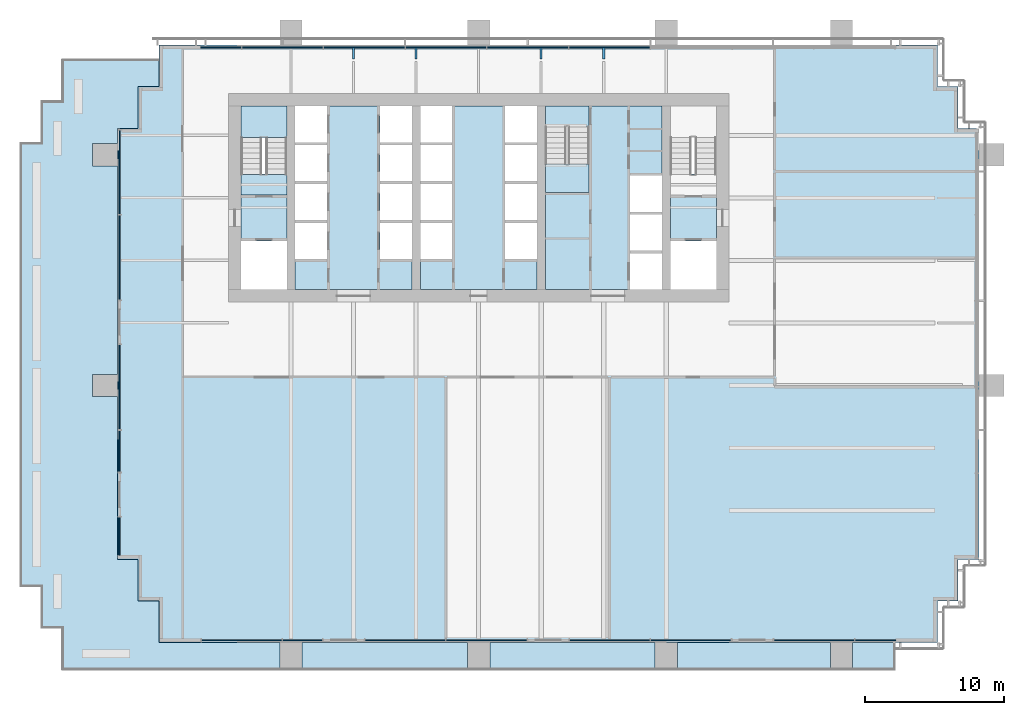
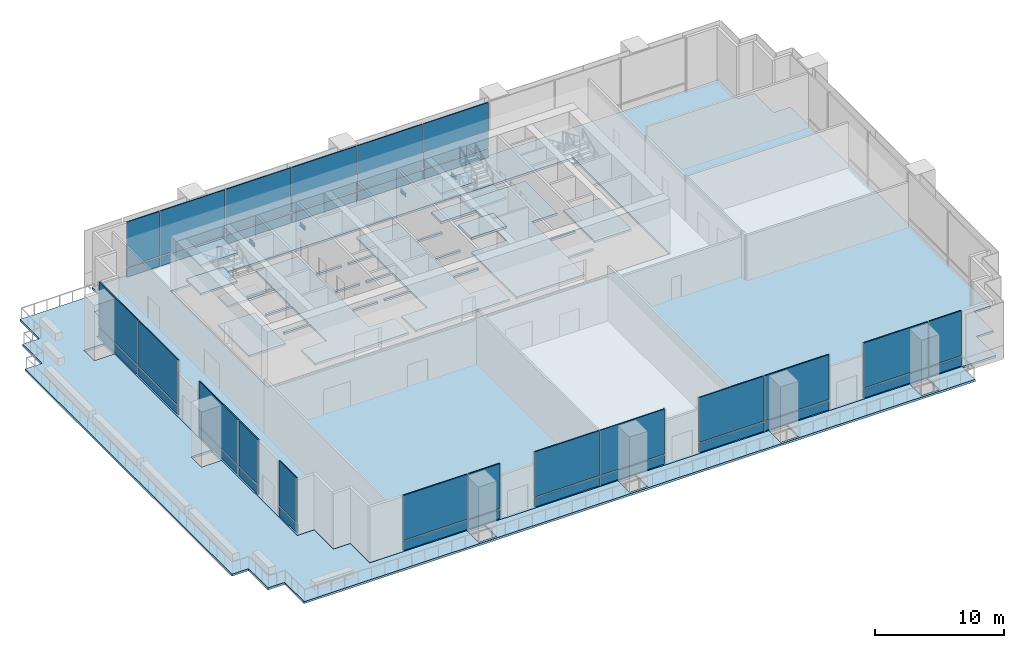
# One storey, part 6 of 15: 38 plates, 13 slabs, 4 beams, 10 elements without a shape of their own.
"""IFC4 building model written with IfcOpenShell, lengths in metres."""

from ifc_helpers import new_model, si_unit, direction, frame, origin, origin_2d, place, context, subcontext, project, spatial, polyline, rectangle, i_section, outline, extrude, material, layer, layer_set, material_profile, profile_set, type_object, element, aggregate, save


model = new_model("IFC4")

# Units and contexts
model_context = context("Model", 3, precision=1e-05, world=origin(), true_north=direction((0.0, 1.0)))
body_context = subcontext(model_context, "Body", "Model", "MODEL_VIEW")
ifc_project = project(units=[si_unit("LENGTHUNIT", "METRE"), si_unit("AREAUNIT", "SQUARE_METRE"), si_unit("VOLUMEUNIT", "CUBIC_METRE"), si_unit("PLANEANGLEUNIT", "RADIAN"), si_unit("MASSUNIT", "GRAM", prefix="KILO")], contexts=[model_context])

# Site, building, storey
site_placement = place(None, origin())
site = spatial("IfcSite", under=ifc_project, at=site_placement, CompositionType="ELEMENT")
building_placement = place(site_placement, origin())
building = spatial("IfcBuilding", under=site, at=building_placement, Name="Rattan Terrace Tower", CompositionType="ELEMENT")
storey_placement = place(building_placement, frame((0.0, 0.0, 74.300048828125)))
storey = spatial("IfcBuildingStorey", under=building, at=storey_placement, Name="L16", CompositionType="ELEMENT", Elevation=74.300048828125)

# Beams
ifc_material_1 = material(Name="Steel S355", Category="steel")
ifc_material_profile = material_profile(ifc_material_1, i_section(OverallWidth=0.14990234375, OverallDepth=0.300048828125, WebThickness=0.007080078125, FlangeThickness=0.0107421875, FilletRadius=0.014892578125, at=origin_2d()), Name="IPE 300")
ifc_profile_set = profile_set([ifc_material_profile], Name="Steel S355")
beam_type = type_object("IfcBeamType", Name="Frame floor beam IPE 300", PredefinedType="JOIST", material=ifc_profile_set)
for number, where, z_axis, x_axis, name in (
    (1, (-9.0, 10.0, -0.35009765625), (0.0, 1.0, 0.0), (-1.0, 0.0, 0.0), "bm-L16-031"),
    (2, (-4.5, 10.0, -0.35009765625), (0.0, 1.0, 0.0), (-1.0, 0.0, 0.0), "bm-L16-032"),
    (3, (4.5, 10.0, -0.35009765625), (0.0, 1.0, 0.0), (-1.0, 0.0, 0.0), "bm-L16-033"),
    (4, (9.0, 10.0, -0.35009765625), (0.0, 1.0, 0.0), (-1.0, 0.0, 0.0), "bm-L16-034"),
):
    element("IfcBeam", number, at=place(storey_placement, frame(where, z_axis=z_axis, x_axis=x_axis)), inside=storey, type_object=beam_type, Name=name, PredefinedType="JOIST", context=body_context, shape_type="SweptSolid", body=[
        extrude(i_section(OverallWidth=0.14990234375, OverallDepth=0.300048828125, WebThickness=0.007080078125, FlangeThickness=0.0107421875, FilletRadius=0.014892578125, at=origin_2d()), origin(), (0.0, 0.0, 1.0), 0.820068359375),
    ])

# Stair, slabs
ifc_material_2 = material(Name="Concrete C40/50", Category="concrete")
stair_type = type_object("IfcStairType", Name="Core exit stair 1500", PredefinedType="HALF_TURN_STAIR", material=ifc_material_2)
stair_1_placement = place(storey_placement, origin())
stair_1 = element("IfcStair", 5, at=stair_1_placement, inside=storey, type_object=stair_type, Name="L16 exit stair 1", PredefinedType="HALF_TURN_STAIR")
ifc_material_3 = material(Name="Concrete C40/50", Category="concrete")
ifc_layer_1 = layer(ifc_material_3, 0.199951171875)
ifc_layer_set_1 = layer_set([ifc_layer_1], Name="Core exit stair landing")
slab_type_1 = type_object("IfcSlabType", Name="Core exit stair landing", PredefinedType="LANDING", material=ifc_layer_set_1)
slab_1_placement = place(storey_placement, frame((0.0, 0.0, 1.14990234375)))
slab_1 = element("IfcSlab", 6, at=slab_1_placement, type_object=slab_type_1, Name="S1 landing 1", PredefinedType="LANDING", context=body_context, shape_type="SweptSolid", body=[
    extrude(outline(polyline([(-13.800048828125, 4.360107421875), (-13.800048828125, 6.60009765625), (-17.10009765625, 6.60009765625), (-17.10009765625, 4.360107421875), (-13.800048828125, 4.360107421875)])), origin(), (0.0, 0.0, 1.0), 0.199951171875),
])
slab_2_placement = place(storey_placement, frame((0.0, 0.0, 2.5)))
slab_2 = element("IfcSlab", 7, at=slab_2_placement, type_object=slab_type_1, Name="S1 landing 2", PredefinedType="LANDING", context=body_context, shape_type="SweptSolid", body=[
    extrude(outline(polyline([(-13.800048828125, 0.199951171875), (-13.800048828125, 1.699951171875), (-17.10009765625, 1.699951171875), (-17.10009765625, 0.199951171875), (-13.800048828125, 0.199951171875)])), origin(), (0.0, 0.0, 1.0), 0.199951171875),
])
slab_3_placement = place(storey_placement, frame((0.0, 0.0, 3.849853515625)))
slab_3 = element("IfcSlab", 8, at=slab_3_placement, type_object=slab_type_1, Name="S1 landing 3", PredefinedType="LANDING", context=body_context, shape_type="SweptSolid", body=[
    extrude(outline(polyline([(-13.800048828125, 4.360107421875), (-13.800048828125, 6.60009765625), (-17.10009765625, 6.60009765625), (-17.10009765625, 4.360107421875), (-13.800048828125, 4.360107421875)])), origin(), (0.0, 0.0, 1.0), 0.2001953125),
])
aggregate(stair_1, [slab_1, slab_2, slab_3])

stair_2_placement = place(storey_placement, origin())
stair_2 = element("IfcStair", 9, at=stair_2_placement, inside=storey, type_object=stair_type, Name="L16 exit stair 3", PredefinedType="HALF_TURN_STAIR")
slab_4_placement = place(storey_placement, frame((0.0, 0.0, 1.14990234375)))
slab_4 = element("IfcSlab", 10, at=slab_4_placement, type_object=slab_type_1, Name="S3 landing 1", PredefinedType="LANDING", context=body_context, shape_type="SweptSolid", body=[
    extrude(outline(polyline([(4.800048828125, 2.43994140625), (4.800048828125, 0.39990234375), (7.949951171875, 0.39990234375), (7.949951171875, 2.43994140625), (4.800048828125, 2.43994140625)])), origin(), (0.0, 0.0, 1.0), 0.199951171875),
])
slab_5_placement = place(storey_placement, frame((0.0, 0.0, 2.5)))
slab_5 = element("IfcSlab", 11, at=slab_5_placement, type_object=slab_type_1, Name="S3 landing 2", PredefinedType="LANDING", context=body_context, shape_type="SweptSolid", body=[
    extrude(outline(polyline([(4.800048828125, 6.60009765625), (4.800048828125, 5.10009765625), (7.949951171875, 5.10009765625), (7.949951171875, 6.60009765625), (4.800048828125, 6.60009765625)])), origin(), (0.0, 0.0, 1.0), 0.199951171875),
])
slab_6_placement = place(storey_placement, frame((0.0, 0.0, 3.849853515625)))
slab_6 = element("IfcSlab", 12, at=slab_6_placement, type_object=slab_type_1, Name="S3 landing 3", PredefinedType="LANDING", context=body_context, shape_type="SweptSolid", body=[
    extrude(outline(polyline([(4.800048828125, 2.43994140625), (4.800048828125, 0.39990234375), (7.949951171875, 0.39990234375), (7.949951171875, 2.43994140625), (4.800048828125, 2.43994140625)])), origin(), (0.0, 0.0, 1.0), 0.2001953125),
])
aggregate(stair_2, [slab_4, slab_5, slab_6])

# Slabs
ifc_material_4 = material(Name="Concrete C35/45", Category="concrete")
ifc_layer_2 = layer(ifc_material_4, 0.199951171875)
ifc_layer_set_2 = layer_set([ifc_layer_2], Name="Frame refuge floor slab 200")
slab_type_2 = type_object("IfcSlabType", Name="Frame refuge floor slab 200", PredefinedType="FLOOR", material=ifc_layer_set_2)
slab_7_placement = place(storey_placement, frame((0.0, 0.0, -0.199951171875)))
element("IfcSlab", 13, at=slab_7_placement, inside=storey, type_object=slab_type_2, Name="Floor slab", PredefinedType="FLOOR", context=body_context, shape_type="SweptSolid", body=[
    extrude(outline(polyline([(-20.0, -32.0), (30.0, -32.0), (33.0, -32.0), (33.0, -29.0), (34.5, -29.0), (34.5, -26.0), (36.0, -26.0), (36.0, 5.0), (34.5, 5.0), (34.5, 8.0), (33.0, 8.0), (33.0, 11.0), (30.0, 11.0), (-20.0, 11.0), (-23.0, 11.0), (-23.0, 8.0), (-24.5, 8.0), (-24.5, 5.0), (-26.0, 5.0), (-26.0, -26.0), (-24.5, -26.0), (-24.5, -29.0), (-23.0, -29.0), (-23.0, -32.0), (-20.0, -32.0)]), holes=[polyline([(-18.0, -6.60009765625), (-18.0, -7.5), (18.0, -7.5), (18.0, -6.60009765625), (18.0, 6.60009765625), (18.0, 7.5), (-18.0, 7.5), (-18.0, 6.60009765625), (-18.0, -6.60009765625)])]), origin(), (0.0, 0.0, 1.0), 0.199951171875),
])
slab_8_placement = place(storey_placement, frame((0.0, 0.0, -0.199951171875)))
element("IfcSlab", 14, at=slab_8_placement, inside=storey, type_object=slab_type_2, Name="Floor slab", PredefinedType="FLOOR", context=body_context, shape_type="SweptSolid", body=[
    extrude(outline(polyline([(-10.89990234375, 6.60009765625), (-10.89990234375, 4.0), (-13.199951171875, 4.0), (-13.199951171875, 3.800048828125), (-10.89990234375, 3.800048828125), (-10.89990234375, 1.199951171875), (-13.199951171875, 1.199951171875), (-13.199951171875, 1.0), (-10.89990234375, 1.0), (-10.89990234375, -1.60009765625), (-13.199951171875, -1.60009765625), (-13.199951171875, -1.800048828125), (-10.89990234375, -1.800048828125), (-10.89990234375, -4.39990234375), (-13.199951171875, -4.39990234375), (-13.199951171875, -6.60009765625), (-4.800048828125, -6.60009765625), (-4.800048828125, -4.39990234375), (-7.10009765625, -4.39990234375), (-7.10009765625, -1.800048828125), (-4.800048828125, -1.800048828125), (-4.800048828125, -1.60009765625), (-7.10009765625, -1.60009765625), (-7.10009765625, 1.0), (-4.800048828125, 1.0), (-4.800048828125, 1.199951171875), (-7.10009765625, 1.199951171875), (-7.10009765625, 3.800048828125), (-4.800048828125, 3.800048828125), (-4.800048828125, 4.0), (-7.10009765625, 4.0), (-7.10009765625, 6.60009765625), (-10.89990234375, 6.60009765625)])), origin(), (0.0, 0.0, 1.0), 0.199951171875),
])
slab_9_placement = place(storey_placement, frame((0.0, 0.0, -0.199951171875)))
element("IfcSlab", 15, at=slab_9_placement, inside=storey, type_object=slab_type_2, Name="Floor slab", PredefinedType="FLOOR", context=body_context, shape_type="SweptSolid", body=[
    extrude(outline(polyline([(-17.10009765625, -3.10009765625), (-13.800048828125, -3.10009765625), (-13.800048828125, 1.7099609375), (-17.10009765625, 1.7099609375), (-17.10009765625, -3.10009765625)])), origin(), (0.0, 0.0, 1.0), 0.199951171875),
])
slab_10_placement = place(storey_placement, frame((0.0, 0.0, -0.199951171875)))
element("IfcSlab", 16, at=slab_10_placement, inside=storey, type_object=slab_type_2, Name="Floor slab", PredefinedType="FLOOR", context=body_context, shape_type="SweptSolid", body=[
    extrude(outline(polyline([(-4.199951171875, 4.0), (-4.199951171875, 3.800048828125), (-1.89990234375, 3.800048828125), (-1.89990234375, 1.199951171875), (-4.199951171875, 1.199951171875), (-4.199951171875, 1.0), (-1.89990234375, 1.0), (-1.89990234375, -1.60009765625), (-4.199951171875, -1.60009765625), (-4.199951171875, -1.800048828125), (-1.89990234375, -1.800048828125), (-1.89990234375, -4.39990234375), (-4.199951171875, -4.39990234375), (-4.199951171875, -6.60009765625), (4.199951171875, -6.60009765625), (4.199951171875, -4.39990234375), (1.89990234375, -4.39990234375), (1.89990234375, -1.800048828125), (4.199951171875, -1.800048828125), (4.199951171875, -1.60009765625), (1.89990234375, -1.60009765625), (1.89990234375, 1.0), (4.199951171875, 1.0), (4.199951171875, 1.199951171875), (1.89990234375, 1.199951171875), (1.89990234375, 3.800048828125), (4.199951171875, 3.800048828125), (4.199951171875, 4.0), (1.89990234375, 4.0), (1.89990234375, 6.60009765625), (-1.89990234375, 6.60009765625), (-1.89990234375, 4.0), (-4.199951171875, 4.0)])), origin(), (0.0, 0.0, 1.0), 0.199951171875),
])
slab_11_placement = place(storey_placement, frame((0.0, 0.0, -0.199951171875)))
element("IfcSlab", 17, at=slab_11_placement, inside=storey, type_object=slab_type_2, Name="Floor slab", PredefinedType="FLOOR", context=body_context, shape_type="SweptSolid", body=[
    extrude(outline(polyline([(4.800048828125, 5.090087890625), (7.949951171875, 5.090087890625), (7.949951171875, 0.39990234375), (4.800048828125, 0.39990234375), (4.800048828125, -6.60009765625), (10.89990234375, -6.60009765625), (10.89990234375, -4.0), (13.199951171875, -4.0), (13.199951171875, -3.800048828125), (10.89990234375, -3.800048828125), (10.89990234375, -1.199951171875), (13.199951171875, -1.199951171875), (13.199951171875, -1.0), (10.89990234375, -1.0), (10.89990234375, 1.60009765625), (13.199951171875, 1.60009765625), (13.199951171875, 6.60009765625), (4.800048828125, 6.60009765625), (4.800048828125, 5.090087890625)])), origin(), (0.0, 0.0, 1.0), 0.199951171875),
])
slab_12_placement = place(storey_placement, frame((0.0, 0.0, -0.199951171875)))
element("IfcSlab", 18, at=slab_12_placement, inside=storey, type_object=slab_type_2, Name="Floor slab", PredefinedType="FLOOR", context=body_context, shape_type="SweptSolid", body=[
    extrude(outline(polyline([(13.800048828125, -3.10009765625), (17.10009765625, -3.10009765625), (17.10009765625, 1.7099609375), (13.800048828125, 1.7099609375), (13.800048828125, -3.10009765625)])), origin(), (0.0, 0.0, 1.0), 0.199951171875),
])
ifc_material_5 = material(Name="Concrete C35/45", Category="concrete")
ifc_layer_3 = layer(ifc_material_5, 0.199951171875)
ifc_layer_set_3 = layer_set([ifc_layer_3], Name="Frame terrace slab 200")
slab_type_3 = type_object("IfcSlabType", Name="Frame terrace slab 200", PredefinedType="ROOF", material=ifc_layer_set_3)
slab_13_placement = place(storey_placement, frame((0.0, 0.0, -0.199951171875)))
element("IfcSlab", 19, at=slab_13_placement, inside=storey, type_object=slab_type_3, Name="Terrace slab", PredefinedType="ROOF", context=body_context, shape_type="SweptSolid", body=[
    extrude(outline(polyline([(30.0, -32.0), (26.89990234375, -32.0), (26.89990234375, -33.800048828125), (25.300048828125, -33.800048828125), (25.300048828125, -32.0), (14.300048828125, -32.0), (14.300048828125, -33.800048828125), (12.699951171875, -33.800048828125), (12.699951171875, -32.0), (0.800048828125, -32.0), (0.800048828125, -33.800048828125), (-0.800048828125, -33.800048828125), (-0.800048828125, -32.0), (-12.699951171875, -32.0), (-12.699951171875, -33.800048828125), (-14.300048828125, -33.800048828125), (-14.300048828125, -32.0), (-23.0, -32.0), (-23.0, -29.0), (-24.5, -29.0), (-24.5, -26.0), (-26.0, -26.0), (-26.0, -14.300048828125), (-27.800048828125, -14.300048828125), (-27.800048828125, -12.699951171875), (-26.0, -12.699951171875), (-26.0, 2.300048828125), (-27.800048828125, 2.300048828125), (-27.800048828125, 3.89990234375), (-26.0, 3.89990234375), (-26.0, 5.0), (-24.5, 5.0), (-24.5, 8.0), (-23.0, 8.0), (-23.0, 10.0), (-30.0, 10.0), (-30.0, 7.0), (-31.5, 7.0), (-31.5, 4.0), (-33.0, 4.0), (-33.0, -28.0), (-31.5, -28.0), (-31.5, -31.0), (-30.0, -31.0), (-30.0, -34.0), (30.0, -34.0), (30.0, -32.0)])), origin(), (0.0, 0.0, 1.0), 0.199951171875),
])

# Curtain wall, plates
ifc_material_6 = material(Name="Steel fins, aluminium and glass", Category="steel")
ifc_layer_4 = layer(ifc_material_6, 0.300048828125)
ifc_layer_set_4 = layer_set([ifc_layer_4], Name="Sky Lobby Stick Curtain Wall")
curtain_wall_type = type_object("IfcCurtainWallType", Name="Sky Lobby Stick Curtain Wall", PredefinedType="NOTDEFINED", material=ifc_layer_set_4)
curtain_wall_1_placement = place(storey_placement, origin())
curtain_wall_1 = element("IfcCurtainWall", 20, at=curtain_wall_1_placement, inside=storey, type_object=curtain_wall_type, Name="Sky lobby curtain wall L16-2", PredefinedType="NOTDEFINED")
ifc_material_7 = material(Name="Insulated aluminium spandrel panel", Category="aluminium")
ifc_layer_5 = layer(ifc_material_7, 0.10009765625)
ifc_layer_set_5 = layer_set([ifc_layer_5], Name="Sky Lobby CW Insulated Panel")
plate_type_1 = type_object("IfcPlateType", Name="Sky Lobby CW Insulated Panel", PredefinedType="CURTAIN_PANEL", material=ifc_layer_set_5)
plate_1_placement = place(storey_placement, frame((9.4130859375, 10.830078125, 0.0), z_axis=(0.0, 0.0, 1.0), x_axis=(-1.0, 0.0, 0.0)))
plate_1 = element("IfcPlate", 21, at=plate_1_placement, type_object=plate_type_1, Name="Panel cwl-L16-002.4.1", PredefinedType="CURTAIN_PANEL", context=body_context, shape_type="SweptSolid", body=[
    extrude(rectangle(XDim=5.802001953125, YDim=0.10009765625, at=origin_2d()), origin(), (0.0, 0.0, 1.0), 0.840087890625),
])
plate_2_placement = place(storey_placement, frame((3.531005859375, 10.830078125, 0.0), z_axis=(0.0, 0.0, 1.0), x_axis=(-1.0, 0.0, 0.0)))
plate_2 = element("IfcPlate", 22, at=plate_2_placement, type_object=plate_type_1, Name="Panel cwl-L16-002.5.1", PredefinedType="CURTAIN_PANEL", context=body_context, shape_type="SweptSolid", body=[
    extrude(rectangle(XDim=5.802001953125, YDim=0.10009765625, at=origin_2d()), origin(), (0.0, 0.0, 1.0), 0.840087890625),
])
plate_3_placement = place(storey_placement, frame((-2.35107421875, 10.830078125, 0.0), z_axis=(0.0, 0.0, 1.0), x_axis=(-1.0, 0.0, 0.0)))
plate_3 = element("IfcPlate", 23, at=plate_3_placement, type_object=plate_type_1, Name="Panel cwl-L16-002.6.1", PredefinedType="CURTAIN_PANEL", context=body_context, shape_type="SweptSolid", body=[
    extrude(rectangle(XDim=5.802001953125, YDim=0.10009765625, at=origin_2d()), origin(), (0.0, 0.0, 1.0), 0.840087890625),
])
plate_4_placement = place(storey_placement, frame((-8.23291015625, 10.830078125, 0.0), z_axis=(0.0, 0.0, 1.0), x_axis=(-1.0, 0.0, 0.0)))
plate_4 = element("IfcPlate", 24, at=plate_4_placement, type_object=plate_type_1, Name="Panel cwl-L16-002.7.1", PredefinedType="CURTAIN_PANEL", context=body_context, shape_type="SweptSolid", body=[
    extrude(rectangle(XDim=5.802001953125, YDim=0.10009765625, at=origin_2d()), origin(), (0.0, 0.0, 1.0), 0.840087890625),
])
plate_5_placement = place(storey_placement, frame((-14.114990234375, 10.830078125, 0.0), z_axis=(0.0, 0.0, 1.0), x_axis=(-1.0, 0.0, 0.0)))
plate_5 = element("IfcPlate", 25, at=plate_5_placement, type_object=plate_type_1, Name="Panel cwl-L16-002.8.1", PredefinedType="CURTAIN_PANEL", context=body_context, shape_type="SweptSolid", body=[
    extrude(rectangle(XDim=5.802001953125, YDim=0.10009765625, at=origin_2d()), origin(), (0.0, 0.0, 1.0), 0.840087890625),
])
plate_6_placement = place(storey_placement, frame((-18.548095703125, 10.830078125, 0.0), z_axis=(0.0, 0.0, 1.0), x_axis=(-1.0, 0.0, 0.0)))
plate_6 = element("IfcPlate", 26, at=plate_6_placement, type_object=plate_type_1, Name="Panel cwl-L16-002.9.1", PredefinedType="CURTAIN_PANEL", context=body_context, shape_type="SweptSolid", body=[
    extrude(rectangle(XDim=2.904052734375, YDim=0.10009765625, at=origin_2d()), origin(), (0.0, 0.0, 1.0), 0.840087890625),
])

curtain_wall_2_placement = place(storey_placement, origin())
curtain_wall_2 = element("IfcCurtainWall", 27, at=curtain_wall_2_placement, inside=storey, type_object=curtain_wall_type, Name="Sky lobby curtain wall L16-3", PredefinedType="NOTDEFINED")
plate_7_placement = place(storey_placement, frame((-25.830078125, 1.857421875, 0.0), z_axis=(0.0, 0.0, 1.0), x_axis=(0.0, -1.0, 0.0)))
plate_7 = element("IfcPlate", 28, at=plate_7_placement, type_object=plate_type_1, Name="Panel cwl-L16-003.1.1", PredefinedType="CURTAIN_PANEL", context=body_context, shape_type="SweptSolid", body=[
    extrude(rectangle(XDim=6.034912109375, YDim=0.10009765625, at=origin_2d()), origin(), (0.0, 0.0, 1.0), 0.840087890625),
])
plate_8_placement = place(storey_placement, frame((-25.830078125, -4.280029296875, 0.0), z_axis=(0.0, 0.0, 1.0), x_axis=(0.0, -1.0, 0.0)))
plate_8 = element("IfcPlate", 29, at=plate_8_placement, type_object=plate_type_1, Name="Panel cwl-L16-003.2.1", PredefinedType="CURTAIN_PANEL", context=body_context, shape_type="SweptSolid", body=[
    extrude(rectangle(XDim=6.080078125, YDim=0.10009765625, at=origin_2d()), origin(), (0.0, 0.0, 1.0), 0.840087890625),
])

curtain_wall_3_placement = place(storey_placement, origin())
curtain_wall_3 = element("IfcCurtainWall", 30, at=curtain_wall_3_placement, inside=storey, type_object=curtain_wall_type, Name="Sky lobby curtain wall L16-4", PredefinedType="NOTDEFINED")
plate_9_placement = place(storey_placement, frame((-25.830078125, -13.6201171875, 0.0), z_axis=(0.0, 0.0, 1.0), x_axis=(0.0, -1.0, 0.0)))
plate_9 = element("IfcPlate", 31, at=plate_9_placement, type_object=plate_type_1, Name="Panel cwl-L16-004.1.1", PredefinedType="CURTAIN_PANEL", context=body_context, shape_type="SweptSolid", body=[
    extrude(rectangle(XDim=6.080078125, YDim=0.10009765625, at=origin_2d()), origin(), (0.0, 0.0, 1.0), 0.840087890625),
])
plate_10_placement = place(storey_placement, frame((-25.830078125, -18.22998046875, 0.0), z_axis=(0.0, 0.0, 1.0), x_axis=(0.0, -1.0, 0.0)))
plate_10 = element("IfcPlate", 32, at=plate_10_placement, type_object=plate_type_1, Name="Panel cwl-L16-004.2.1", PredefinedType="CURTAIN_PANEL", context=body_context, shape_type="SweptSolid", body=[
    extrude(rectangle(XDim=2.97998046875, YDim=0.10009765625, at=origin_2d()), origin(), (0.0, 0.0, 1.0), 0.840087890625),
])

# Curtain wall, plate
curtain_wall_4_placement = place(storey_placement, origin())
curtain_wall_4 = element("IfcCurtainWall", 33, at=curtain_wall_4_placement, inside=storey, type_object=curtain_wall_type, Name="Sky lobby curtain wall L16-5", PredefinedType="NOTDEFINED")
plate_11_placement = place(storey_placement, frame((-25.830078125, -24.342529296875, 0.0), z_axis=(0.0, 0.0, 1.0), x_axis=(0.0, -1.0, 0.0)))
plate_11 = element("IfcPlate", 34, at=plate_11_placement, type_object=plate_type_1, Name="Panel cwl-L16-005.1.1", PredefinedType="CURTAIN_PANEL", context=body_context, shape_type="SweptSolid", body=[
    extrude(rectangle(XDim=2.72509765625, YDim=0.10009765625, at=origin_2d()), origin(), (0.0, 0.0, 1.0), 0.840087890625),
])

# Curtain wall, plates
curtain_wall_5_placement = place(storey_placement, origin())
curtain_wall_5 = element("IfcCurtainWall", 35, at=curtain_wall_5_placement, inside=storey, type_object=curtain_wall_type, Name="Sky lobby curtain wall L16-6", PredefinedType="NOTDEFINED")
plate_12_placement = place(storey_placement, frame((-17.0390625, -31.830078125, 0.0), z_axis=(0.0, 0.0, 1.0), x_axis=(1.0, 0.0, 0.0)))
plate_12 = element("IfcPlate", 36, at=plate_12_placement, type_object=plate_type_1, Name="Panel cwl-L16-006.1.1", PredefinedType="CURTAIN_PANEL", context=body_context, shape_type="SweptSolid", body=[
    extrude(rectangle(XDim=5.761962890625, YDim=0.10009765625, at=origin_2d()), origin(), (0.0, 0.0, 1.0), 0.840087890625),
])
plate_13_placement = place(storey_placement, frame((-12.66748046875, -31.830078125, 0.0), z_axis=(0.0, 0.0, 1.0), x_axis=(1.0, 0.0, 0.0)))
plate_13 = element("IfcPlate", 37, at=plate_13_placement, type_object=plate_type_1, Name="Panel cwl-L16-006.2.1", PredefinedType="CURTAIN_PANEL", context=body_context, shape_type="SweptSolid", body=[
    extrude(rectangle(XDim=2.821044921875, YDim=0.10009765625, at=origin_2d()), origin(), (0.0, 0.0, 1.0), 0.840087890625),
])

curtain_wall_6_placement = place(storey_placement, origin())
curtain_wall_6 = element("IfcCurtainWall", 38, at=curtain_wall_6_placement, inside=storey, type_object=curtain_wall_type, Name="Sky lobby curtain wall L16-7", PredefinedType="NOTDEFINED")
plate_14_placement = place(storey_placement, frame((-5.27490234375, -31.830078125, 0.0), z_axis=(0.0, 0.0, 1.0), x_axis=(1.0, 0.0, 0.0)))
plate_14 = element("IfcPlate", 39, at=plate_14_placement, type_object=plate_type_1, Name="Panel cwl-L16-007.1.1", PredefinedType="CURTAIN_PANEL", context=body_context, shape_type="SweptSolid", body=[
    extrude(rectangle(XDim=5.761962890625, YDim=0.10009765625, at=origin_2d()), origin(), (0.0, 0.0, 1.0), 0.840087890625),
])
plate_15_placement = place(storey_placement, frame((0.56689453125, -31.830078125, 0.0), z_axis=(0.0, 0.0, 1.0), x_axis=(1.0, 0.0, 0.0)))
plate_15 = element("IfcPlate", 40, at=plate_15_placement, type_object=plate_type_1, Name="Panel cwl-L16-007.2.1", PredefinedType="CURTAIN_PANEL", context=body_context, shape_type="SweptSolid", body=[
    extrude(rectangle(XDim=5.761962890625, YDim=0.10009765625, at=origin_2d()), origin(), (0.0, 0.0, 1.0), 0.840087890625),
])

curtain_wall_7_placement = place(storey_placement, origin())
curtain_wall_7 = element("IfcCurtainWall", 41, at=curtain_wall_7_placement, inside=storey, type_object=curtain_wall_type, Name="Sky lobby curtain wall L16-8", PredefinedType="NOTDEFINED")
plate_16_placement = place(storey_placement, frame((9.429931640625, -31.830078125, 0.0), z_axis=(0.0, 0.0, 1.0), x_axis=(1.0, 0.0, 0.0)))
plate_16 = element("IfcPlate", 42, at=plate_16_placement, type_object=plate_type_1, Name="Panel cwl-L16-008.1.1", PredefinedType="CURTAIN_PANEL", context=body_context, shape_type="SweptSolid", body=[
    extrude(rectangle(XDim=5.761962890625, YDim=0.10009765625, at=origin_2d()), origin(), (0.0, 0.0, 1.0), 0.840087890625),
])
plate_17_placement = place(storey_placement, frame((15.27197265625, -31.830078125, 0.0), z_axis=(0.0, 0.0, 1.0), x_axis=(1.0, 0.0, 0.0)))
plate_17 = element("IfcPlate", 43, at=plate_17_placement, type_object=plate_type_1, Name="Panel cwl-L16-008.2.1", PredefinedType="CURTAIN_PANEL", context=body_context, shape_type="SweptSolid", body=[
    extrude(rectangle(XDim=5.761962890625, YDim=0.10009765625, at=origin_2d()), origin(), (0.0, 0.0, 1.0), 0.840087890625),
])

curtain_wall_8_placement = place(storey_placement, origin())
curtain_wall_8 = element("IfcCurtainWall", 44, at=curtain_wall_8_placement, inside=storey, type_object=curtain_wall_type, Name="Sky lobby curtain wall L16-9", PredefinedType="NOTDEFINED")
plate_18_placement = place(storey_placement, frame((24.135009765625, -31.830078125, 0.0), z_axis=(0.0, 0.0, 1.0), x_axis=(1.0, 0.0, 0.0)))
plate_18 = element("IfcPlate", 45, at=plate_18_placement, type_object=plate_type_1, Name="Panel cwl-L16-009.1.1", PredefinedType="CURTAIN_PANEL", context=body_context, shape_type="SweptSolid", body=[
    extrude(rectangle(XDim=5.761962890625, YDim=0.10009765625, at=origin_2d()), origin(), (0.0, 0.0, 1.0), 0.840087890625),
])
plate_19_placement = place(storey_placement, frame((28.548095703125, -31.830078125, 0.0), z_axis=(0.0, 0.0, 1.0), x_axis=(1.0, 0.0, 0.0)))
plate_19 = element("IfcPlate", 46, at=plate_19_placement, type_object=plate_type_1, Name="Panel cwl-L16-009.2.1", PredefinedType="CURTAIN_PANEL", context=body_context, shape_type="SweptSolid", body=[
    extrude(rectangle(XDim=2.904052734375, YDim=0.10009765625, at=origin_2d()), origin(), (0.0, 0.0, 1.0), 0.840087890625),
])

# Plate
ifc_material_8 = material(Name="Laminated low-iron glass", Category="glass")
ifc_layer_6 = layer(ifc_material_8, 0.090087890625)
ifc_layer_set_6 = layer_set([ifc_layer_6], Name="Sky Lobby CW Vision Panel")
plate_type_2 = type_object("IfcPlateType", Name="Sky Lobby CW Vision Panel", PredefinedType="CURTAIN_PANEL", material=ifc_layer_set_6)
plate_20_placement = place(storey_placement, frame((9.4130859375, 10.830078125, 0.9599609375), z_axis=(0.0, 0.0, 1.0), x_axis=(-1.0, 0.0, 0.0)))
plate_20 = element("IfcPlate", 47, at=plate_20_placement, type_object=plate_type_2, Name="Panel cwl-L16-002.4.2", PredefinedType="CURTAIN_PANEL", context=body_context, shape_type="SweptSolid", body=[
    extrude(rectangle(XDim=5.802001953125, YDim=0.090087890625, at=origin_2d()), origin(), (0.0, 0.0, 1.0), 4.239990234375),
])

plate_21_placement = place(storey_placement, frame((3.531005859375, 10.830078125, 0.9599609375), z_axis=(0.0, 0.0, 1.0), x_axis=(-1.0, 0.0, 0.0)))
plate_21 = element("IfcPlate", 48, at=plate_21_placement, type_object=plate_type_2, Name="Panel cwl-L16-002.5.2", PredefinedType="CURTAIN_PANEL", context=body_context, shape_type="SweptSolid", body=[
    extrude(rectangle(XDim=5.802001953125, YDim=0.090087890625, at=origin_2d()), origin(), (0.0, 0.0, 1.0), 4.239990234375),
])

plate_22_placement = place(storey_placement, frame((-2.35107421875, 10.830078125, 0.9599609375), z_axis=(0.0, 0.0, 1.0), x_axis=(-1.0, 0.0, 0.0)))
plate_22 = element("IfcPlate", 49, at=plate_22_placement, type_object=plate_type_2, Name="Panel cwl-L16-002.6.2", PredefinedType="CURTAIN_PANEL", context=body_context, shape_type="SweptSolid", body=[
    extrude(rectangle(XDim=5.802001953125, YDim=0.090087890625, at=origin_2d()), origin(), (0.0, 0.0, 1.0), 4.239990234375),
])

plate_23_placement = place(storey_placement, frame((-8.23291015625, 10.830078125, 0.9599609375), z_axis=(0.0, 0.0, 1.0), x_axis=(-1.0, 0.0, 0.0)))
plate_23 = element("IfcPlate", 50, at=plate_23_placement, type_object=plate_type_2, Name="Panel cwl-L16-002.7.2", PredefinedType="CURTAIN_PANEL", context=body_context, shape_type="SweptSolid", body=[
    extrude(rectangle(XDim=5.802001953125, YDim=0.090087890625, at=origin_2d()), origin(), (0.0, 0.0, 1.0), 4.239990234375),
])

plate_24_placement = place(storey_placement, frame((-14.114990234375, 10.830078125, 0.9599609375), z_axis=(0.0, 0.0, 1.0), x_axis=(-1.0, 0.0, 0.0)))
plate_24 = element("IfcPlate", 51, at=plate_24_placement, type_object=plate_type_2, Name="Panel cwl-L16-002.8.2", PredefinedType="CURTAIN_PANEL", context=body_context, shape_type="SweptSolid", body=[
    extrude(rectangle(XDim=5.802001953125, YDim=0.090087890625, at=origin_2d()), origin(), (0.0, 0.0, 1.0), 4.239990234375),
])

plate_25_placement = place(storey_placement, frame((-18.548095703125, 10.830078125, 0.9599609375), z_axis=(0.0, 0.0, 1.0), x_axis=(-1.0, 0.0, 0.0)))
plate_25 = element("IfcPlate", 52, at=plate_25_placement, type_object=plate_type_2, Name="Panel cwl-L16-002.9.2", PredefinedType="CURTAIN_PANEL", context=body_context, shape_type="SweptSolid", body=[
    extrude(rectangle(XDim=2.904052734375, YDim=0.090087890625, at=origin_2d()), origin(), (0.0, 0.0, 1.0), 4.239990234375),
])

aggregate(curtain_wall_1, [plate_1, plate_20, plate_2, plate_21, plate_3, plate_22, plate_4, plate_23, plate_5, plate_24, plate_6, plate_25])

plate_26_placement = place(storey_placement, frame((-25.830078125, 1.857421875, 0.9599609375), z_axis=(0.0, 0.0, 1.0), x_axis=(0.0, -1.0, 0.0)))
plate_26 = element("IfcPlate", 53, at=plate_26_placement, type_object=plate_type_2, Name="Panel cwl-L16-003.1.2", PredefinedType="CURTAIN_PANEL", context=body_context, shape_type="SweptSolid", body=[
    extrude(rectangle(XDim=6.034912109375, YDim=0.090087890625, at=origin_2d()), origin(), (0.0, 0.0, 1.0), 4.239990234375),
])

plate_27_placement = place(storey_placement, frame((-25.830078125, -4.280029296875, 0.9599609375), z_axis=(0.0, 0.0, 1.0), x_axis=(0.0, -1.0, 0.0)))
plate_27 = element("IfcPlate", 54, at=plate_27_placement, type_object=plate_type_2, Name="Panel cwl-L16-003.2.2", PredefinedType="CURTAIN_PANEL", context=body_context, shape_type="SweptSolid", body=[
    extrude(rectangle(XDim=6.080078125, YDim=0.090087890625, at=origin_2d()), origin(), (0.0, 0.0, 1.0), 4.239990234375),
])

aggregate(curtain_wall_2, [plate_7, plate_26, plate_8, plate_27])

plate_28_placement = place(storey_placement, frame((-25.830078125, -13.6201171875, 0.9599609375), z_axis=(0.0, 0.0, 1.0), x_axis=(0.0, -1.0, 0.0)))
plate_28 = element("IfcPlate", 55, at=plate_28_placement, type_object=plate_type_2, Name="Panel cwl-L16-004.1.2", PredefinedType="CURTAIN_PANEL", context=body_context, shape_type="SweptSolid", body=[
    extrude(rectangle(XDim=6.080078125, YDim=0.090087890625, at=origin_2d()), origin(), (0.0, 0.0, 1.0), 4.239990234375),
])

plate_29_placement = place(storey_placement, frame((-25.830078125, -18.22998046875, 0.9599609375), z_axis=(0.0, 0.0, 1.0), x_axis=(0.0, -1.0, 0.0)))
plate_29 = element("IfcPlate", 56, at=plate_29_placement, type_object=plate_type_2, Name="Panel cwl-L16-004.2.2", PredefinedType="CURTAIN_PANEL", context=body_context, shape_type="SweptSolid", body=[
    extrude(rectangle(XDim=2.97998046875, YDim=0.090087890625, at=origin_2d()), origin(), (0.0, 0.0, 1.0), 4.239990234375),
])

aggregate(curtain_wall_3, [plate_9, plate_28, plate_10, plate_29])

plate_30_placement = place(storey_placement, frame((-25.830078125, -24.342529296875, 0.9599609375), z_axis=(0.0, 0.0, 1.0), x_axis=(0.0, -1.0, 0.0)))
plate_30 = element("IfcPlate", 57, at=plate_30_placement, type_object=plate_type_2, Name="Panel cwl-L16-005.1.2", PredefinedType="CURTAIN_PANEL", context=body_context, shape_type="SweptSolid", body=[
    extrude(rectangle(XDim=2.72509765625, YDim=0.090087890625, at=origin_2d()), origin(), (0.0, 0.0, 1.0), 4.239990234375),
])

aggregate(curtain_wall_4, [plate_11, plate_30])

plate_31_placement = place(storey_placement, frame((-17.0390625, -31.830078125, 0.9599609375), z_axis=(0.0, 0.0, 1.0), x_axis=(1.0, 0.0, 0.0)))
plate_31 = element("IfcPlate", 58, at=plate_31_placement, type_object=plate_type_2, Name="Panel cwl-L16-006.1.2", PredefinedType="CURTAIN_PANEL", context=body_context, shape_type="SweptSolid", body=[
    extrude(rectangle(XDim=5.761962890625, YDim=0.090087890625, at=origin_2d()), origin(), (0.0, 0.0, 1.0), 4.239990234375),
])

plate_32_placement = place(storey_placement, frame((-12.66748046875, -31.830078125, 0.9599609375), z_axis=(0.0, 0.0, 1.0), x_axis=(1.0, 0.0, 0.0)))
plate_32 = element("IfcPlate", 59, at=plate_32_placement, type_object=plate_type_2, Name="Panel cwl-L16-006.2.2", PredefinedType="CURTAIN_PANEL", context=body_context, shape_type="SweptSolid", body=[
    extrude(rectangle(XDim=2.821044921875, YDim=0.090087890625, at=origin_2d()), origin(), (0.0, 0.0, 1.0), 4.239990234375),
])

aggregate(curtain_wall_5, [plate_12, plate_31, plate_13, plate_32])

plate_33_placement = place(storey_placement, frame((-5.27490234375, -31.830078125, 0.9599609375), z_axis=(0.0, 0.0, 1.0), x_axis=(1.0, 0.0, 0.0)))
plate_33 = element("IfcPlate", 60, at=plate_33_placement, type_object=plate_type_2, Name="Panel cwl-L16-007.1.2", PredefinedType="CURTAIN_PANEL", context=body_context, shape_type="SweptSolid", body=[
    extrude(rectangle(XDim=5.761962890625, YDim=0.090087890625, at=origin_2d()), origin(), (0.0, 0.0, 1.0), 4.239990234375),
])

plate_34_placement = place(storey_placement, frame((0.56689453125, -31.830078125, 0.9599609375), z_axis=(0.0, 0.0, 1.0), x_axis=(1.0, 0.0, 0.0)))
plate_34 = element("IfcPlate", 61, at=plate_34_placement, type_object=plate_type_2, Name="Panel cwl-L16-007.2.2", PredefinedType="CURTAIN_PANEL", context=body_context, shape_type="SweptSolid", body=[
    extrude(rectangle(XDim=5.761962890625, YDim=0.090087890625, at=origin_2d()), origin(), (0.0, 0.0, 1.0), 4.239990234375),
])

aggregate(curtain_wall_6, [plate_14, plate_33, plate_15, plate_34])

plate_35_placement = place(storey_placement, frame((9.429931640625, -31.830078125, 0.9599609375), z_axis=(0.0, 0.0, 1.0), x_axis=(1.0, 0.0, 0.0)))
plate_35 = element("IfcPlate", 62, at=plate_35_placement, type_object=plate_type_2, Name="Panel cwl-L16-008.1.2", PredefinedType="CURTAIN_PANEL", context=body_context, shape_type="SweptSolid", body=[
    extrude(rectangle(XDim=5.761962890625, YDim=0.090087890625, at=origin_2d()), origin(), (0.0, 0.0, 1.0), 4.239990234375),
])

plate_36_placement = place(storey_placement, frame((15.27197265625, -31.830078125, 0.9599609375), z_axis=(0.0, 0.0, 1.0), x_axis=(1.0, 0.0, 0.0)))
plate_36 = element("IfcPlate", 63, at=plate_36_placement, type_object=plate_type_2, Name="Panel cwl-L16-008.2.2", PredefinedType="CURTAIN_PANEL", context=body_context, shape_type="SweptSolid", body=[
    extrude(rectangle(XDim=5.761962890625, YDim=0.090087890625, at=origin_2d()), origin(), (0.0, 0.0, 1.0), 4.239990234375),
])

aggregate(curtain_wall_7, [plate_16, plate_35, plate_17, plate_36])

plate_37_placement = place(storey_placement, frame((24.135009765625, -31.830078125, 0.9599609375), z_axis=(0.0, 0.0, 1.0), x_axis=(1.0, 0.0, 0.0)))
plate_37 = element("IfcPlate", 64, at=plate_37_placement, type_object=plate_type_2, Name="Panel cwl-L16-009.1.2", PredefinedType="CURTAIN_PANEL", context=body_context, shape_type="SweptSolid", body=[
    extrude(rectangle(XDim=5.761962890625, YDim=0.090087890625, at=origin_2d()), origin(), (0.0, 0.0, 1.0), 4.239990234375),
])

plate_38_placement = place(storey_placement, frame((28.548095703125, -31.830078125, 0.9599609375), z_axis=(0.0, 0.0, 1.0), x_axis=(1.0, 0.0, 0.0)))
plate_38 = element("IfcPlate", 65, at=plate_38_placement, type_object=plate_type_2, Name="Panel cwl-L16-009.2.2", PredefinedType="CURTAIN_PANEL", context=body_context, shape_type="SweptSolid", body=[
    extrude(rectangle(XDim=2.904052734375, YDim=0.090087890625, at=origin_2d()), origin(), (0.0, 0.0, 1.0), 4.239990234375),
])

aggregate(curtain_wall_8, [plate_18, plate_37, plate_19, plate_38])

save(model, "model.ifc")
